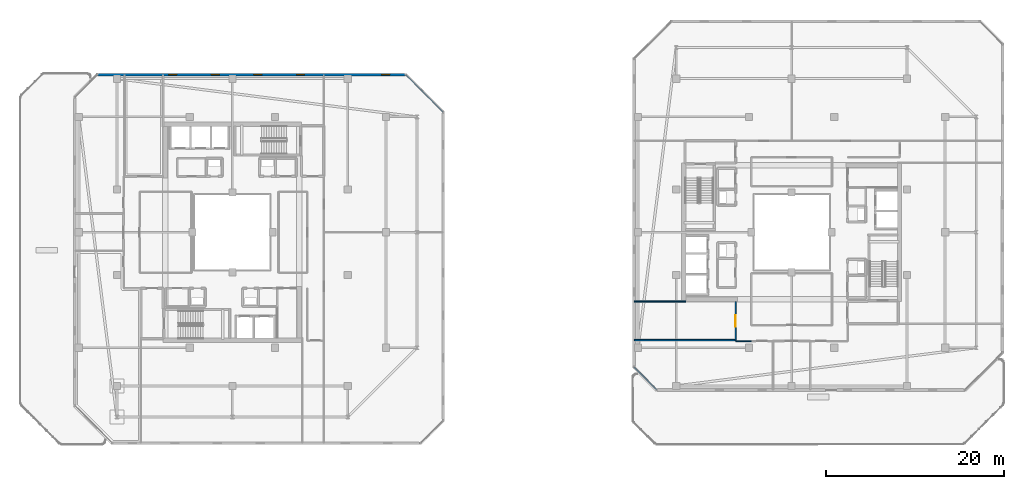
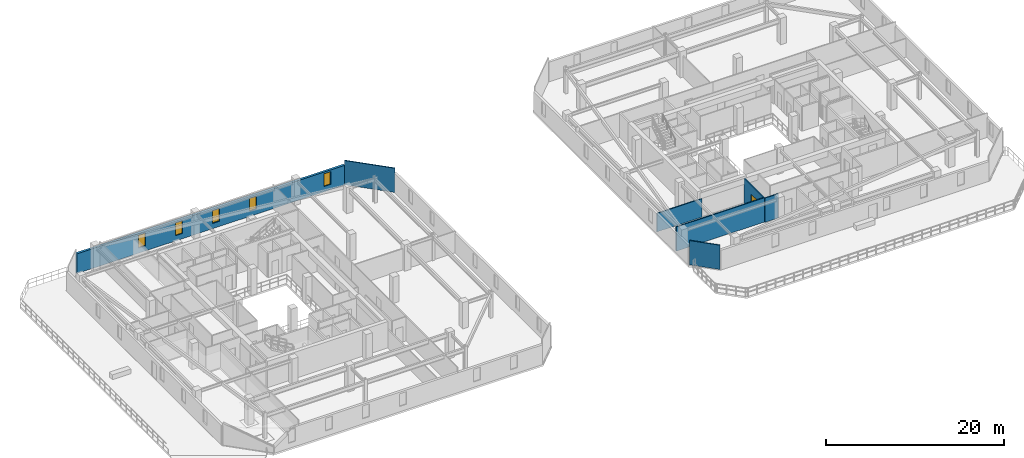
# One storey, part 21 of 31: 7 walls, 5 windows, 1 door, 6 openings.
"""IFC4 building model written with IfcOpenShell, lengths in metres."""

from ifc_helpers import new_model, si_unit, direction, frame, frame_2d, origin, place, context, subcontext, project, spatial, rectangle, extrude, material, layer, layer_set, type_object, element, fill, save


model = new_model("IFC4")

# Units and contexts
model_context = context("Model", 3, precision=1e-05, world=origin(), true_north=direction((0.0, 1.0)))
body_context = subcontext(model_context, "Body", "Model", "MODEL_VIEW")
ifc_project = project(units=[si_unit("LENGTHUNIT", "METRE"), si_unit("AREAUNIT", "SQUARE_METRE"), si_unit("VOLUMEUNIT", "CUBIC_METRE"), si_unit("PLANEANGLEUNIT", "RADIAN"), si_unit("MASSUNIT", "GRAM", prefix="KILO")], contexts=[model_context])

# Site, building, storey
site_placement = place(None, origin())
site = spatial("IfcSite", under=ifc_project, at=site_placement, CompositionType="ELEMENT")
building_placement = place(site_placement, origin())
building = spatial("IfcBuilding", under=site, at=building_placement, Name="Thornwick Lancets Civic Towers", CompositionType="ELEMENT")
storey_placement = place(building_placement, frame((0.0, 0.0, 254.699951171875)))
storey = spatial("IfcBuildingStorey", under=building, at=storey_placement, Name="L68", CompositionType="ELEMENT", Elevation=254.699951171875)

# Wall, openings, windows
ifc_material_1 = material(Name="Insulated russet terracotta rainscreen on concrete C40/50", Category="masonry")
ifc_layer_1 = layer(ifc_material_1, 0.300048828125, Name="Insulated russet terracotta rainscreen on concrete C40/50")
ifc_layer_set_1 = layer_set([ifc_layer_1], Name="Insulated russet terracotta rainscreen on concrete C40/50")
wall_type_1 = type_object("IfcWallType", Name="WALL_EXT_RUSSET_300", PredefinedType="STANDARD", material=ifc_layer_set_1)
wall_1_placement = place(storey_placement, frame((45.02587890625, 44.75927734375, 0.0), z_axis=(0.0, 0.0, 1.0), x_axis=(-0.999999988026, 0.000154754115, 0.0)))
wall_1 = element("IfcWall", 1, at=wall_1_placement, inside=storey, type_object=wall_type_1, Name="L68 Tower A Terracotta Facade Wall E4", PredefinedType="STANDARD", context=body_context, shape_type="SweptSolid", body=[
    extrude(rectangle(XDim=34.707275390625, YDim=0.300048828125, at=frame_2d((17.353515625, 0.0))), origin(), (0.0, 0.0, 1.0), 2.699951171875),
])
opening_1_placement = place(wall_1_placement, frame((1.800048828125, 0.0, 0.719970703125)))
opening_1 = element("IfcOpeningElement", 2, at=opening_1_placement, cuts=wall_1, Name="Opening WL-01", PredefinedType="OPENING", context=body_context, shape_type="SweptSolid", body=[
    extrude(rectangle(XDim=0.89990234375, YDim=1.75, at=frame_2d((0.449951171875, 0.875))), frame((0.0, 0.16015625, 0.0), z_axis=(0.0, -1.0, 0.0), x_axis=(1.0, 0.0, 0.0)), (0.0, 0.0, 1.0), 0.320068359375),
])
opening_2_placement = place(wall_1_placement, frame((11.39990234375, 0.0, 0.719970703125)))
opening_2 = element("IfcOpeningElement", 3, at=opening_2_placement, cuts=wall_1, Name="Opening WL-01", PredefinedType="OPENING", context=body_context, shape_type="SweptSolid", body=[
    extrude(rectangle(XDim=0.89990234375, YDim=1.75, at=frame_2d((0.449951171875, 0.875))), frame((0.0, 0.16015625, 0.0), z_axis=(0.0, -1.0, 0.0), x_axis=(1.0, 0.0, 0.0)), (0.0, 0.0, 1.0), 0.320068359375),
])
opening_3_placement = place(wall_1_placement, frame((16.199951171875, 0.0, 0.719970703125)))
opening_3 = element("IfcOpeningElement", 4, at=opening_3_placement, cuts=wall_1, Name="Opening WL-01", PredefinedType="OPENING", context=body_context, shape_type="SweptSolid", body=[
    extrude(rectangle(XDim=0.89990234375, YDim=1.75, at=frame_2d((0.449951171875, 0.875))), frame((0.0, 0.16015625, 0.0), z_axis=(0.0, -1.0, 0.0), x_axis=(1.0, 0.0, 0.0)), (0.0, 0.0, 1.0), 0.320068359375),
])
opening_4_placement = place(wall_1_placement, frame((21.0, 0.0, 0.719970703125)))
opening_4 = element("IfcOpeningElement", 5, at=opening_4_placement, cuts=wall_1, Name="Opening WL-01", PredefinedType="OPENING", context=body_context, shape_type="SweptSolid", body=[
    extrude(rectangle(XDim=0.89990234375, YDim=1.75, at=frame_2d((0.449951171875, 0.875))), frame((0.0, 0.16015625, 0.0), z_axis=(0.0, -1.0, 0.0), x_axis=(1.0, 0.0, 0.0)), (0.0, 0.0, 1.0), 0.320068359375),
])
opening_5_placement = place(wall_1_placement, frame((25.800048828125, 0.0, 0.719970703125)))
opening_5 = element("IfcOpeningElement", 6, at=opening_5_placement, cuts=wall_1, Name="Opening WL-01", PredefinedType="OPENING", context=body_context, shape_type="SweptSolid", body=[
    extrude(rectangle(XDim=0.89990234375, YDim=1.75, at=frame_2d((0.449951171875, 0.875))), frame((0.0, 0.16015625, 0.0), z_axis=(0.0, -1.0, 0.0), x_axis=(1.0, 0.0, 0.0)), (0.0, 0.0, 1.0), 0.320068359375),
])
ifc_material_2 = material(Name="Clear low-e double glazing in bronze frame", Category="glass")
window_type = type_object("IfcWindowType", Name="WIN_LANCET_900", PartitioningType="SINGLE_PANEL", PredefinedType="WINDOW", material=ifc_material_2)
window_1_placement = place(opening_1_placement, origin())
window_1 = element("IfcWindow", 7, at=window_1_placement, inside=storey, type_object=window_type, Name="L68 Tower A Staggered Lancet Window E4-1", OverallHeight=1.75, OverallWidth=0.89990234375, PartitioningType="SINGLE_PANEL", PredefinedType="WINDOW", context=body_context, shape_type="SweptSolid", body=[
    extrude(rectangle(XDim=0.89990234375, YDim=1.75, at=frame_2d((0.449951171875, 0.875))), frame((0.0, 0.030029296875, 0.0), z_axis=(0.0, -1.0, 0.0), x_axis=(1.0, 0.0, 0.0)), (0.0, 0.0, 1.0), 0.06005859375),
])
fill(opening_1, window_1)
window_2_placement = place(opening_2_placement, origin())
window_2 = element("IfcWindow", 8, at=window_2_placement, inside=storey, type_object=window_type, Name="L68 Tower A Staggered Lancet Window E4-2", OverallHeight=1.75, OverallWidth=0.89990234375, PartitioningType="SINGLE_PANEL", PredefinedType="WINDOW", context=body_context, shape_type="SweptSolid", body=[
    extrude(rectangle(XDim=0.89990234375, YDim=1.75, at=frame_2d((0.449951171875, 0.875))), frame((0.0, 0.030029296875, 0.0), z_axis=(0.0, -1.0, 0.0), x_axis=(1.0, 0.0, 0.0)), (0.0, 0.0, 1.0), 0.06005859375),
])
fill(opening_2, window_2)
window_3_placement = place(opening_3_placement, origin())
window_3 = element("IfcWindow", 9, at=window_3_placement, inside=storey, type_object=window_type, Name="L68 Tower A Staggered Lancet Window E4-3", OverallHeight=1.75, OverallWidth=0.89990234375, PartitioningType="SINGLE_PANEL", PredefinedType="WINDOW", context=body_context, shape_type="SweptSolid", body=[
    extrude(rectangle(XDim=0.89990234375, YDim=1.75, at=frame_2d((0.449951171875, 0.875))), frame((0.0, 0.030029296875, 0.0), z_axis=(0.0, -1.0, 0.0), x_axis=(1.0, 0.0, 0.0)), (0.0, 0.0, 1.0), 0.06005859375),
])
fill(opening_3, window_3)
window_4_placement = place(opening_4_placement, origin())
window_4 = element("IfcWindow", 10, at=window_4_placement, inside=storey, type_object=window_type, Name="L68 Tower A Staggered Lancet Window E4-4", OverallHeight=1.75, OverallWidth=0.89990234375, PartitioningType="SINGLE_PANEL", PredefinedType="WINDOW", context=body_context, shape_type="SweptSolid", body=[
    extrude(rectangle(XDim=0.89990234375, YDim=1.75, at=frame_2d((0.449951171875, 0.875))), frame((0.0, 0.030029296875, 0.0), z_axis=(0.0, -1.0, 0.0), x_axis=(1.0, 0.0, 0.0)), (0.0, 0.0, 1.0), 0.06005859375),
])
fill(opening_4, window_4)
window_5_placement = place(opening_5_placement, origin())
window_5 = element("IfcWindow", 11, at=window_5_placement, inside=storey, type_object=window_type, Name="L68 Tower A Staggered Lancet Window E4-5", OverallHeight=1.75, OverallWidth=0.89990234375, PartitioningType="SINGLE_PANEL", PredefinedType="WINDOW", context=body_context, shape_type="SweptSolid", body=[
    extrude(rectangle(XDim=0.89990234375, YDim=1.75, at=frame_2d((0.449951171875, 0.875))), frame((0.0, 0.030029296875, 0.0), z_axis=(0.0, -1.0, 0.0), x_axis=(1.0, 0.0, 0.0)), (0.0, 0.0, 1.0), 0.06005859375),
])
fill(opening_5, window_5)

# Walls
ifc_material_3 = material(Name="Acoustic gypsum board partition")
ifc_layer_2 = layer(ifc_material_3, 0.1201171875, Name="Acoustic gypsum board partition")
ifc_layer_set_2 = layer_set([ifc_layer_2], Name="Acoustic gypsum board partition")
wall_type_2 = type_object("IfcWallType", Name="WALL_PART_120", PredefinedType="PARTITIONING", material=ifc_layer_set_2)
wall_2_placement = place(storey_placement, frame((45.0634765625, 44.719970703125, 0.0), z_axis=(0.0, 0.0, 1.0), x_axis=(0.707106781187, -0.707106781187, 0.0)))
element("IfcWall", 12, at=wall_2_placement, inside=storey, type_object=wall_type_2, Name="L68 Partition L68-A-E2 E4", PredefinedType="PARTITIONING", context=body_context, shape_type="SweptSolid", body=[
    extrude(rectangle(XDim=5.878173828125, YDim=0.1201171875, at=frame_2d((2.93896484375, 0.0))), origin(), (0.0, 0.0, 1.0), 3.320068359375),
])
wall_3_placement = place(storey_placement, frame((73.274658203125, 9.280029296875, 0.0), z_axis=(0.0, 0.0, 1.0), x_axis=(-0.707106781187, 0.707106781187, 0.0)))
element("IfcWall", 13, at=wall_3_placement, inside=storey, type_object=wall_type_2, Name="L68 Partition L68-B-W2B E2", PredefinedType="PARTITIONING", context=body_context, shape_type="SweptSolid", body=[
    extrude(rectangle(XDim=3.52783203125, YDim=0.1201171875, at=frame_2d((1.763916015625, 0.0))), origin(), (0.0, 0.0, 1.0), 3.320068359375),
])
wall_4_placement = place(storey_placement, frame((82.199951171875, 14.75, 0.0), z_axis=(0.0, 0.0, 1.0), x_axis=(1.0, 0.0, 0.0)))
element("IfcWall", 14, at=wall_4_placement, inside=storey, type_object=wall_type_2, Name="L68 Partition L68-B-W2B E5", PredefinedType="PARTITIONING", context=body_context, shape_type="SweptSolid", body=[
    extrude(rectangle(XDim=1.75, YDim=0.1201171875, at=frame_2d((0.875, 0.0))), origin(), (0.0, 0.0, 1.0), 3.320068359375),
])
ifc_material_4 = material(Name="Twin-stud acoustic gypsum board")
ifc_layer_3 = layer(ifc_material_4, 0.14990234375, Name="Twin-stud acoustic gypsum board")
ifc_layer_set_3 = layer_set([ifc_layer_3], Name="Twin-stud acoustic gypsum board")
wall_type_3 = type_object("IfcWallType", Name="WALL_PART_150", PredefinedType="PARTITIONING", material=ifc_layer_set_3)
wall_5_placement = place(storey_placement, frame((82.199951171875, 14.85009765625, 0.0), z_axis=(0.0, 0.0, 1.0), x_axis=(-1.0, 0.0, 0.0)))
element("IfcWall", 15, at=wall_5_placement, inside=storey, type_object=wall_type_3, Name="L68 Partition L68-B-RECLAIM-M1 E1", PredefinedType="PARTITIONING", context=body_context, shape_type="SweptSolid", body=[
    extrude(rectangle(XDim=11.419921875, YDim=0.14990234375, at=frame_2d((5.7099609375, 0.0))), origin(), (0.0, 0.0, 1.0), 3.320068359375),
])
wall_6_placement = place(storey_placement, frame((70.780029296875, 19.199951171875, 0.0), z_axis=(0.0, 0.0, 1.0), x_axis=(1.0, 0.0, 0.0)))
element("IfcWall", 16, at=wall_6_placement, inside=storey, type_object=wall_type_3, Name="L68 Partition L68-B-RECLAIM-M1 E3", PredefinedType="PARTITIONING", context=body_context, shape_type="SweptSolid", body=[
    extrude(rectangle(XDim=5.820068359375, YDim=0.14990234375, at=frame_2d((2.91015625, 0.0))), origin(), (0.0, 0.0, 1.0), 2.525146484375),
])

# Wall, opening, door
wall_7_placement = place(storey_placement, frame((82.199951171875, 19.199951171875, 0.0), z_axis=(0.0, 0.0, 1.0), x_axis=(0.0, -1.0, 0.0)))
wall_7 = element("IfcWall", 17, at=wall_7_placement, inside=storey, type_object=wall_type_3, Name="L68 Partition L68-B-RECLAIM-M1 E4", PredefinedType="PARTITIONING", context=body_context, shape_type="SweptSolid", body=[
    extrude(rectangle(XDim=4.349853515625, YDim=0.14990234375, at=frame_2d((2.1748046875, 0.0))), origin(), (0.0, 0.0, 1.0), 3.320068359375),
])
opening_6_placement = place(wall_7_placement, frame((1.52490234375, 0.0, 0.0)))
opening_6 = element("IfcOpeningElement", 18, at=opening_6_placement, cuts=wall_7, Name="Opening D-L68-3123", PredefinedType="OPENING", context=body_context, shape_type="SweptSolid", body=[
    extrude(rectangle(XDim=1.300048828125, YDim=2.1201171875, at=frame_2d((0.64990234375, 1.06005859375))), frame((0.0, 0.0849609375, 0.0), z_axis=(0.0, -1.0, 0.0), x_axis=(1.0, 0.0, 0.0)), (0.0, 0.0, 1.0), 0.169921875),
])
ifc_material_5 = material(Name="Acoustic oak leaf-and-a-half doorset")
door_type = type_object("IfcDoorType", Name="DOOR_MEET_1300", OperationType="DOUBLE_DOOR_SINGLE_SWING", PredefinedType="DOOR", material=ifc_material_5)
door_placement = place(opening_6_placement, origin())
door = element("IfcDoor", 19, at=door_placement, inside=storey, type_object=door_type, Name="L68 Tower B Diplomatic Conference Suite Door", OperationType="DOUBLE_DOOR_SINGLE_SWING", OverallHeight=2.1201171875, OverallWidth=1.300048828125, PredefinedType="DOOR", context=body_context, shape_type="SweptSolid", body=[
    extrude(rectangle(XDim=1.300048828125, YDim=2.1201171875, at=frame_2d((0.64990234375, 1.06005859375))), frame((0.0, 0.02490234375, 0.0), z_axis=(0.0, -1.0, 0.0), x_axis=(1.0, 0.0, 0.0)), (0.0, 0.0, 1.0), 0.050048828125),
])
fill(opening_6, door)

save(model, "model.ifc")
